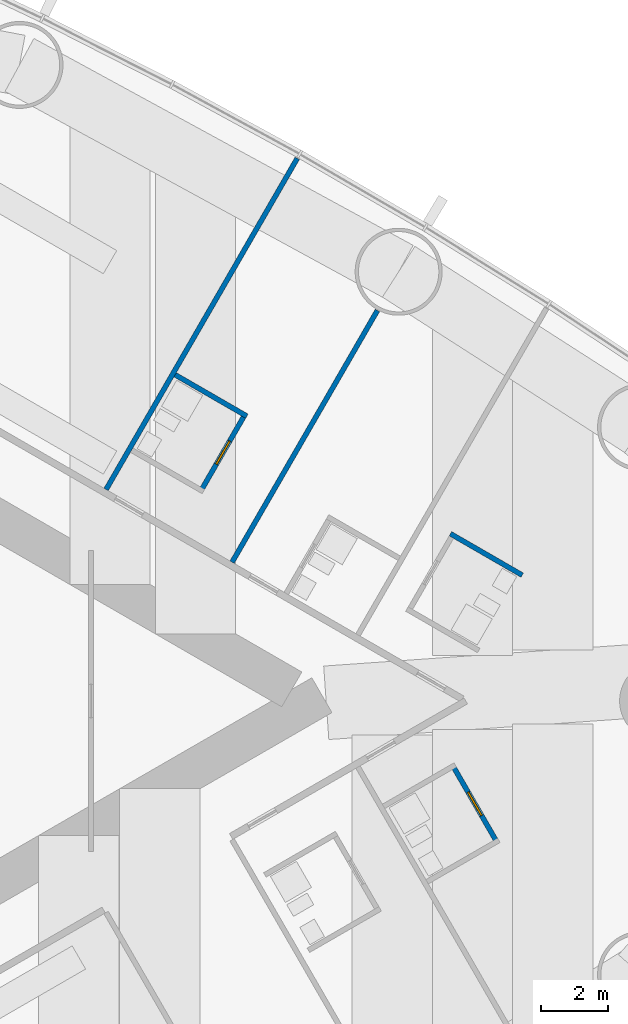
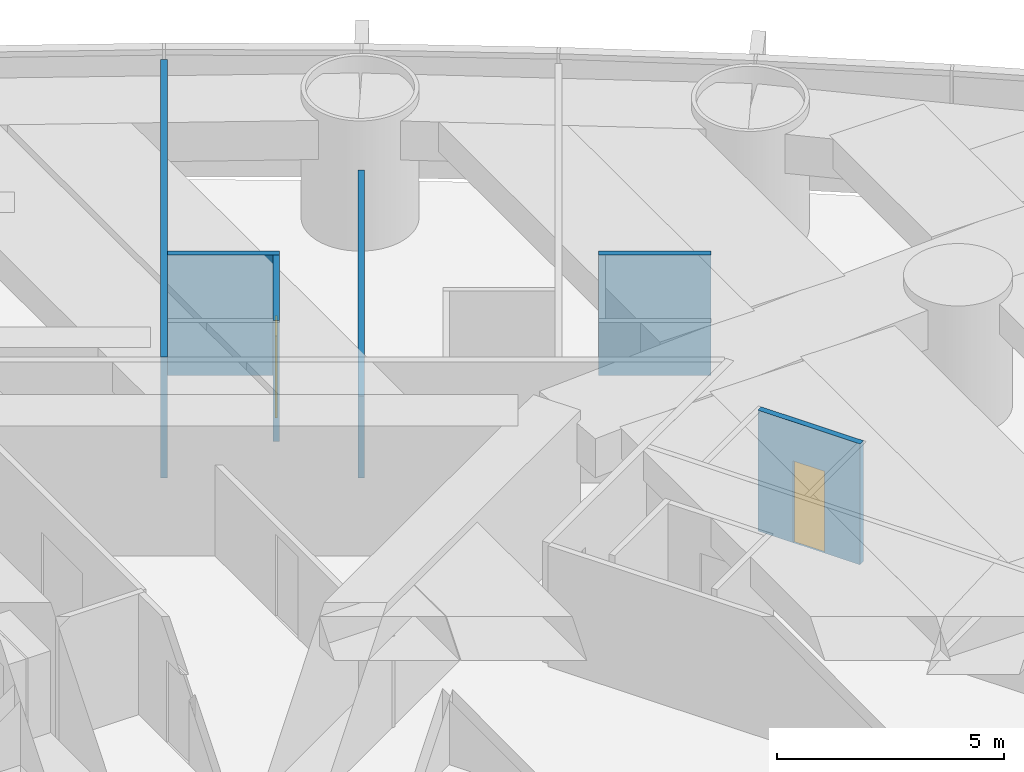
# One storey, part 15 of 18: 6 walls, 2 doors, 2 openings.
"""IFC4 building model written with IfcOpenShell, lengths in metres."""

from ifc_helpers import new_model, si_unit, direction, frame, frame_2d, origin, place, context, subcontext, project, spatial, rectangle, extrude, material, layer, layer_set, type_object, element, fill, save


model = new_model("IFC4")

# Units and contexts
model_context = context("Model", 3, precision=1e-05, world=origin(), true_north=direction((0.0, 1.0)))
body_context = subcontext(model_context, "Body", "Model", "MODEL_VIEW")
ifc_project = project(units=[si_unit("LENGTHUNIT", "METRE"), si_unit("AREAUNIT", "SQUARE_METRE"), si_unit("VOLUMEUNIT", "CUBIC_METRE"), si_unit("PLANEANGLEUNIT", "RADIAN"), si_unit("MASSUNIT", "GRAM", prefix="KILO")], contexts=[model_context])

# Site, building, storey
site_placement = place(None, origin())
site = spatial("IfcSite", under=ifc_project, at=site_placement, CompositionType="ELEMENT")
building_placement = place(site_placement, origin())
building = spatial("IfcBuilding", under=site, at=building_placement, Name="Lancet Gate Hotel", CompositionType="ELEMENT")
storey_placement = place(building_placement, frame((0.0, 0.0, 104.60009765625)))
storey = spatial("IfcBuildingStorey", under=building, at=storey_placement, Name="L27", CompositionType="ELEMENT", Elevation=104.60009765625)

# Wall, opening, door
ifc_material_1 = material(Name="Moisture resistant board partition")
ifc_layer_1 = layer(ifc_material_1, 0.14990234375)
ifc_layer_set_1 = layer_set([ifc_layer_1], Name="Bathroom wall 150")
wall_type_1 = type_object("IfcWallType", Name="Bathroom wall 150", PredefinedType="PARTITIONING", material=ifc_layer_set_1)
wall_1_placement = place(storey_placement, frame((55.32470703125, -1.949951171875, 0.0), z_axis=(0.0, 0.0, 1.0), x_axis=(0.500006934395, -0.866021400173, 0.0)))
wall_1 = element("IfcWall", 1, at=wall_1_placement, inside=storey, type_object=wall_type_1, Name="T2 bathroom wall 150 L27", PredefinedType="PARTITIONING", context=body_context, shape_type="SweptSolid", body=[
    extrude(rectangle(XDim=2.60009765625, YDim=0.14990234375, at=frame_2d((1.300048828125, 0.0))), origin(), (0.0, 0.0, 1.0), 3.25),
])
opening_1_placement = place(wall_1_placement, frame((0.89990234375, 0.0, 0.0)))
opening_1 = element("IfcOpeningElement", 2, at=opening_1_placement, cuts=wall_1, Name="Opening 2757-B", PredefinedType="OPENING", context=body_context, shape_type="SweptSolid", body=[
    extrude(rectangle(XDim=0.800048828125, YDim=2.199951171875, at=frame_2d((0.39990234375, 1.10009765625))), frame((0.0, 0.0849609375, 0.0), z_axis=(0.0, -1.0, 0.0), x_axis=(1.0, 0.0, 0.0)), (0.0, 0.0, 1.0), 0.169921875),
])
ifc_material_2 = material(Name="Timber door set", Category="wood")
door_type = type_object("IfcDoorType", Name="Bathroom door 800", OperationType="SINGLE_SWING_RIGHT", PredefinedType="DOOR", material=ifc_material_2)
door_1_placement = place(opening_1_placement, origin())
door_1 = element("IfcDoor", 3, at=door_1_placement, inside=storey, type_object=door_type, Name="2757-B", OperationType="SINGLE_SWING_RIGHT", OverallHeight=2.199951171875, OverallWidth=0.800048828125, PredefinedType="DOOR", context=body_context, shape_type="SweptSolid", body=[
    extrude(rectangle(XDim=0.800048828125, YDim=2.199951171875, at=frame_2d((0.39990234375, 1.10009765625))), frame((0.0, 0.02490234375, 0.0), z_axis=(0.0, -1.0, 0.0), x_axis=(1.0, 0.0, 0.0)), (0.0, 0.0, 1.0), 0.050048828125),
])
fill(opening_1, door_1)

# Walls
for number, where, z_axis, x_axis, name in (
    (4, (55.2451171875, 4.998291015625, 0.0), (0.0, 0.0, 1.0), (0.866006523861, -0.500032699561, 0.0), "T2 bathroom wall 150 L27"),
    (5, (47.0185546875, 9.747802734375, 0.0), (0.0, 0.0, 1.0), (0.866006523861, -0.500032699561, 0.0), "T2 bathroom wall 150 L27"),
):
    element("IfcWall", number, at=place(storey_placement, frame(where, z_axis=z_axis, x_axis=x_axis)), inside=storey, type_object=wall_type_1, Name=name, PredefinedType="PARTITIONING", context=body_context, shape_type="SweptSolid", body=[
        extrude(rectangle(XDim=2.474853515625, YDim=0.14990234375, at=frame_2d((1.2373046875, 0.0))), origin(), (0.0, 0.0, 1.0), 3.25),
    ])

# Wall, opening, door
wall_2_placement = place(storey_placement, frame((47.797119140625, 6.296142578125, 0.0), z_axis=(0.0, 0.0, 1.0), x_axis=(0.499936506574, 0.866062058628, 0.0)))
wall_2 = element("IfcWall", 6, at=wall_2_placement, inside=storey, type_object=wall_type_1, Name="T2 bathroom wall 150 L27", PredefinedType="PARTITIONING", context=body_context, shape_type="SweptSolid", body=[
    extrude(rectangle(XDim=2.599853515625, YDim=0.14990234375, at=frame_2d((1.2998046875, 0.0))), origin(), (0.0, 0.0, 1.0), 3.25),
])
opening_2_placement = place(wall_2_placement, frame((0.89990234375, 0.0, 0.0)))
opening_2 = element("IfcOpeningElement", 7, at=opening_2_placement, cuts=wall_2, Name="Opening 2760-B", PredefinedType="OPENING", context=body_context, shape_type="SweptSolid", body=[
    extrude(rectangle(XDim=0.800048828125, YDim=2.199951171875, at=frame_2d((0.39990234375, 1.10009765625))), frame((0.0, 0.0849609375, 0.0), z_axis=(0.0, -1.0, 0.0), x_axis=(1.0, 0.0, 0.0)), (0.0, 0.0, 1.0), 0.169921875),
])
door_2_placement = place(opening_2_placement, origin())
door_2 = element("IfcDoor", 8, at=door_2_placement, inside=storey, type_object=door_type, Name="2760-B", OperationType="SINGLE_SWING_RIGHT", OverallHeight=2.199951171875, OverallWidth=0.800048828125, PredefinedType="DOOR", context=body_context, shape_type="SweptSolid", body=[
    extrude(rectangle(XDim=0.800048828125, YDim=2.199951171875, at=frame_2d((0.39990234375, 1.10009765625))), frame((0.0, 0.02490234375, 0.0), z_axis=(0.0, -1.0, 0.0), x_axis=(1.0, 0.0, 0.0)), (0.0, 0.0, 1.0), 0.050048828125),
])
fill(opening_2, door_2)

# Walls
ifc_material_3 = material(Name="Gypsum board partition")
ifc_layer_2 = layer(ifc_material_3, 0.14990234375)
ifc_layer_set_2 = layer_set([ifc_layer_2], Name="Party wall 150")
wall_type_2 = type_object("IfcWallType", Name="Party wall 150", PredefinedType="PARTITIONING", material=ifc_layer_set_2)
wall_3_placement = place(storey_placement, frame((44.95361328125, 6.3212890625, 0.0), z_axis=(0.0, 0.0, 1.0), x_axis=(0.500009815811, 0.866019736549, 0.0)))
element("IfcWall", 9, at=wall_3_placement, inside=storey, type_object=wall_type_2, Name="T2 party wall 150 L27", PredefinedType="PARTITIONING", context=body_context, shape_type="SweptSolid", body=[
    extrude(rectangle(XDim=11.423583984375, YDim=0.14990234375, at=frame_2d((5.7119140625, 0.0))), origin(), (0.0, 0.0, 1.0), 3.25),
])
wall_4_placement = place(storey_placement, frame((48.718505859375, 4.1474609375, 0.0), z_axis=(0.0, 0.0, 1.0), x_axis=(0.499993328235, 0.866029255696, 0.0)))
element("IfcWall", 10, at=wall_4_placement, inside=storey, type_object=wall_type_2, Name="T2 party wall 150 L27", PredefinedType="PARTITIONING", context=body_context, shape_type="SweptSolid", body=[
    extrude(rectangle(XDim=8.68603515625, YDim=0.14990234375, at=frame_2d((4.343017578125, 0.0))), origin(), (0.0, 0.0, 1.0), 2.199951171875),
])

save(model, "model.ifc")
